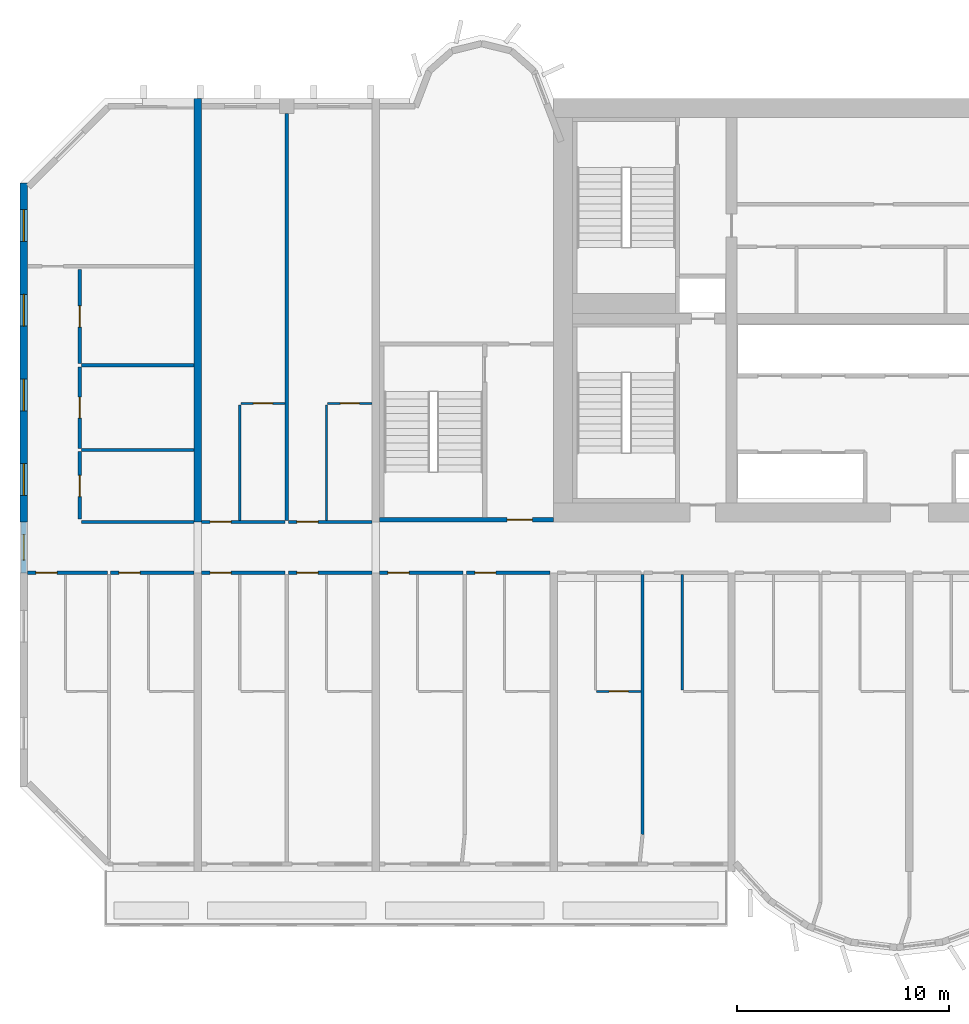
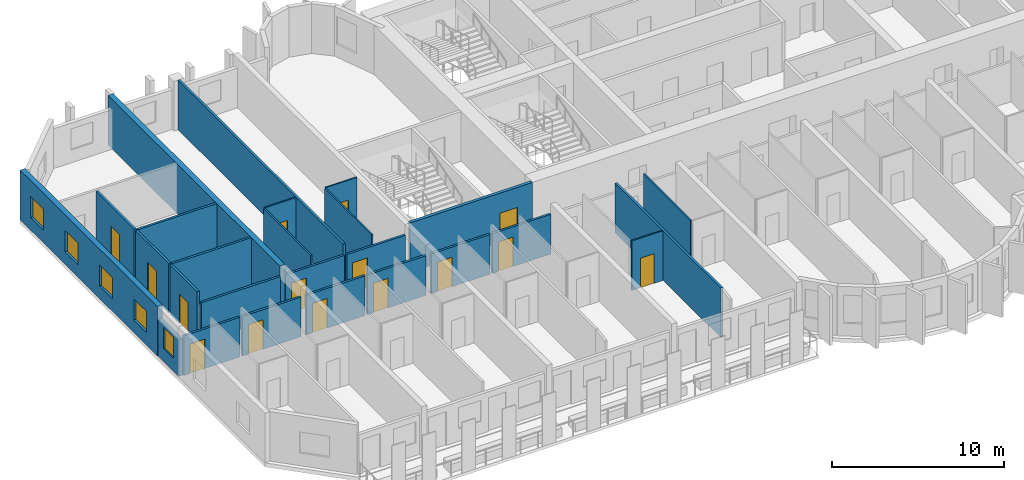
# One storey, part 3 of 15: 26 walls, 15 doors, 5 windows, 20 openings.
"""IFC4 building model written with IfcOpenShell, lengths in metres."""

import ifcopenshell
import ifcopenshell.guid

model = None  # the IFC model being written
_history = None  # IfcOwnerHistory: only IFC2X3 demands one
_inside = {}  # id of a spatial element -> (the spatial element, [elements in it])
_under = {}  # id of a project, library or spatial element -> (it, [spatial elements below it])
_declared = {}  # id of a project -> (the project, [libraries it declares])
_typed = {}  # id of a type object -> (the type object, [elements of that type])
_made_of = {}  # id of a material, layer set ... -> (it, [elements and type objects made of it])


def new_model(schema):
    """Start an empty IFC model of exactly this schema.

    Asked for "IFC4X3", IfcOpenShell would pick the latest addendum, in which some entities
    have other attributes; the version numbers below select the first issue.
    IFC2X3 requires an IfcOwnerHistory on every rooted entity: one is made here for all.
    """
    global model, _history
    if schema == "IFC4X3":
        model = ifcopenshell.file(schema_version=(4, 3, 0, 0))
    else:
        model = ifcopenshell.file(schema=schema)
    _inside.clear()
    _under.clear()
    _declared.clear()
    _typed.clear()
    _made_of.clear()
    _history = None
    if model.schema == "IFC2X3":
        org = make("IfcOrganization", Name="unknown")
        user = make(
            "IfcPersonAndOrganization",
            ThePerson=make("IfcPerson", FamilyName="unknown"),
            TheOrganization=org,
        )
        app = make(
            "IfcApplication",
            ApplicationDeveloper=org,
            Version="unknown",
            ApplicationFullName="unknown",
            ApplicationIdentifier="unknown",
        )
        _history = make(
            "IfcOwnerHistory",
            OwningUser=user,
            OwningApplication=app,
            ChangeAction="ADDED",
            CreationDate=0,
        )
    return model


def make(cls, **values):
    """One entity of the class cls with the attributes given. An attribute that is None is left unset."""
    return model.create_entity(
        cls, **{name: value for name, value in values.items() if value is not None}
    )


def rooted(cls, **values):
    """An entity with a GlobalId (a new one), such as an element, a storey or a relation."""
    return make(cls, GlobalId=ifcopenshell.guid.new(), OwnerHistory=_history, **values)


def si_unit(unit_type, name, prefix=None):
    """IfcSIUnit, for example si_unit("LENGTHUNIT", "METRE", prefix="MILLI")."""
    return make("IfcSIUnit", UnitType=unit_type, Prefix=prefix, Name=name)


def assignment(units):
    """IfcUnitAssignment: the units of a project."""
    return None if units is None else make("IfcUnitAssignment", Units=units)


def point(xyz):
    """IfcCartesianPoint."""
    return None if xyz is None else make("IfcCartesianPoint", Coordinates=xyz)


def direction(xyz):
    """IfcDirection."""
    return None if xyz is None else make("IfcDirection", DirectionRatios=xyz)


def frame(location, z_axis=None, x_axis=None):
    """IfcAxis2Placement3D, a coordinate frame: its origin and axes. An axis left out is left unset."""
    return make(
        "IfcAxis2Placement3D",
        Location=point(location),
        Axis=direction(z_axis),
        RefDirection=direction(x_axis),
    )


def frame_2d(location, x_axis=None):
    """IfcAxis2Placement2D, a coordinate frame in the plane: its origin and x axis."""
    return make(
        "IfcAxis2Placement2D", Location=point(location), RefDirection=direction(x_axis)
    )


def origin():
    """The frame at (0, 0, 0) with its axes left unset."""
    return frame((0.0, 0.0, 0.0))


def place(relative_to, where):
    """IfcLocalPlacement: puts the frame where relative to a parent placement (None: the world)."""
    return make(
        "IfcLocalPlacement", PlacementRelTo=relative_to, RelativePlacement=where
    )


def context(
    kind, dimensions, precision=None, world=None, true_north=None, identifier=None
):
    """IfcGeometricRepresentationContext, for example the 3D "Model" context."""
    return make(
        "IfcGeometricRepresentationContext",
        ContextIdentifier=identifier,
        ContextType=kind,
        CoordinateSpaceDimension=dimensions,
        Precision=precision,
        WorldCoordinateSystem=world,
        TrueNorth=true_north,
    )


def subcontext(parent, identifier, kind, view, scale=None):
    """IfcGeometricRepresentationSubContext, for example "Body" below "Model"."""
    return make(
        "IfcGeometricRepresentationSubContext",
        ContextIdentifier=identifier,
        ContextType=kind,
        ParentContext=parent,
        TargetScale=scale,
        TargetView=view,
    )


def project(units=None, contexts=None):
    """IfcProject with its units and contexts."""
    return rooted(
        "IfcProject",
        Name="project",
        RepresentationContexts=contexts,
        UnitsInContext=assignment(units),
    )


def spatial(cls, under=None, at=None, **own):
    """A site, building, storey or space (cls), placed at a placement, below another one or the project."""
    s = rooted(cls, ObjectPlacement=at, **own)
    if under is not None:
        _under.setdefault(under.id(), (under, []))[1].append(s)
    return s


def profile(cls, at=None, kind="AREA", **sizes):
    """A parametric profile (cls). Its sizes go by their IFC names, for example OverallWidth=200.0."""
    return make(cls, ProfileType=kind, Position=at, **sizes)


def rectangle(**sizes):
    """IfcRectangleProfileDef."""
    return profile("IfcRectangleProfileDef", **sizes)


def extrude(swept, where, along, depth):
    """IfcExtrudedAreaSolid: the profile swept, set in the frame where, extruded along a direction by depth."""
    return make(
        "IfcExtrudedAreaSolid",
        SweptArea=swept,
        Position=where,
        ExtrudedDirection=direction(along),
        Depth=depth,
    )


def shape(context_of_items, identifier, shape_type, items):
    """IfcShapeRepresentation: the items that make up one representation, for example the "Body"."""
    return make(
        "IfcShapeRepresentation",
        ContextOfItems=context_of_items,
        RepresentationIdentifier=identifier,
        RepresentationType=shape_type,
        Items=items,
    )


def source(mapping_origin, context_of_items, identifier, shape_type, items):
    """IfcRepresentationMap: a shape defined once, which mapped items show again and again."""
    return make(
        "IfcRepresentationMap",
        MappingOrigin=mapping_origin,
        MappedRepresentation=shape(context_of_items, identifier, shape_type, items),
    )


def transform(
    local_origin,
    x_axis=None,
    y_axis=None,
    z_axis=None,
    scale=None,
    scale2=None,
    scale3=None,
    uniform=True,
):
    """IfcCartesianTransformationOperator3D, or its non-uniform kind. x_axis, y_axis, z_axis: its Axis1, 2, 3."""
    if uniform:
        return make(
            "IfcCartesianTransformationOperator3D",
            Axis1=direction(x_axis),
            Axis2=direction(y_axis),
            LocalOrigin=point(local_origin),
            Scale=scale,
            Axis3=direction(z_axis),
        )
    return make(
        "IfcCartesianTransformationOperator3DnonUniform",
        Axis1=direction(x_axis),
        Axis2=direction(y_axis),
        LocalOrigin=point(local_origin),
        Scale=scale,
        Axis3=direction(z_axis),
        Scale2=scale2,
        Scale3=scale3,
    )


def mapped(mapping_source, mapping_target):
    """IfcMappedItem: shows the shape of a source again, moved by a transform."""
    return make(
        "IfcMappedItem", MappingSource=mapping_source, MappingTarget=mapping_target
    )


def material(Name=None, Category=None):
    """IfcMaterial."""
    return make("IfcMaterial", Name=Name, Category=Category)


def layer(
    of_material, thickness, ventilated=None, Name=None, Category=None, Priority=None
):
    """IfcMaterialLayer: one layer of a wall or slab, of a material (None: an air gap)."""
    return make(
        "IfcMaterialLayer",
        Material=of_material,
        LayerThickness=thickness,
        IsVentilated=ventilated,
        Name=Name,
        Category=Category,
        Priority=Priority,
    )


def layer_set(layers, Name=None):
    """IfcMaterialLayerSet."""
    return make("IfcMaterialLayerSet", MaterialLayers=layers, LayerSetName=Name)


def made_of(thing, what):
    """Note that an element or type object is made of a material, layer set ...; save() writes the relation."""
    if what is not None:
        _made_of.setdefault(what.id(), (what, []))[1].append(thing)
    return thing


def type_object(cls, material=None, **own):
    """A type object (cls), such as IfcWallType, which elements share."""
    return made_of(rooted(cls, **own), material)


def element(
    cls,
    number,
    at=None,
    inside=None,
    cuts=None,
    type_object=None,
    material=None,
    context=None,
    identifier="Body",
    shape_type=None,
    held_by="IfcProductDefinitionShape",
    body=None,
    shapes=None,
    **own,
):
    """One element of the class cls, such as IfcWall. Its Tag is "e" and its number.

    at: its placement. inside: the storey or other place that contains it. cuts: it is an
    opening in that element (IfcRelVoidsElement). A single representation is given by context,
    identifier, shape_type and body (its items); several are given by shapes. held_by: the class
    of the entity that holds the representations. save() writes the other relations.
    """
    e = rooted(cls, Tag="e%d" % number, ObjectPlacement=at, **own)
    if body is not None:
        shapes = [shape(context, identifier, shape_type, body)]
    if shapes is not None:
        e.Representation = make(held_by, Representations=shapes)
    if inside is not None:
        _inside.setdefault(inside.id(), (inside, []))[1].append(e)
    if cuts is not None:
        rooted(
            "IfcRelVoidsElement", RelatingBuildingElement=cuts, RelatedOpeningElement=e
        )
    if type_object is not None:
        _typed.setdefault(type_object.id(), (type_object, []))[1].append(e)
    return made_of(e, material)


def fill(opening, filler):
    """IfcRelFillsElement: the door or window that sits in an opening."""
    return rooted(
        "IfcRelFillsElement",
        RelatingOpeningElement=opening,
        RelatedBuildingElement=filler,
    )


def aggregate(whole, parts):
    """IfcRelAggregates: a whole, such as a stair, and the parts it consists of."""
    return rooted("IfcRelAggregates", RelatingObject=whole, RelatedObjects=parts)


def save(model, path):
    """Write the relations noted so far, then the file.

    IfcRelAggregates (storeys below a building ...), IfcRelContainedInSpatialStructure (elements
    in a storey), IfcRelDefinesByType, IfcRelAssociatesMaterial and IfcRelDeclares: one each for
    every whole, place, type object, material and project.
    """
    for whole, parts in _under.values():
        aggregate(whole, parts)
    for where, things in _inside.values():
        rooted(
            "IfcRelContainedInSpatialStructure",
            RelatedElements=things,
            RelatingStructure=where,
        )
    for kind, things in _typed.values():
        rooted("IfcRelDefinesByType", RelatedObjects=things, RelatingType=kind)
    for what, things in _made_of.values():
        rooted("IfcRelAssociatesMaterial", RelatedObjects=things, RelatingMaterial=what)
    for by, libraries in _declared.values():
        rooted("IfcRelDeclares", RelatingContext=by, RelatedDefinitions=libraries)
    model.write(path)


model = new_model("IFC4")

# Units and contexts
model_context = context("Model", 3, precision=1e-05, world=origin(), true_north=direction((0.0, 1.0)))
body_context = subcontext(model_context, "Body", "Model", "MODEL_VIEW")
ifc_project = project(units=[si_unit("LENGTHUNIT", "METRE"), si_unit("AREAUNIT", "SQUARE_METRE"), si_unit("VOLUMEUNIT", "CUBIC_METRE"), si_unit("PLANEANGLEUNIT", "RADIAN"), si_unit("MASSUNIT", "GRAM", prefix="KILO")], contexts=[model_context])

# Site, building, storey
site_placement = place(None, origin())
site = spatial("IfcSite", under=ifc_project, at=site_placement, CompositionType="ELEMENT")
building_placement = place(site_placement, origin())
building = spatial("IfcBuilding", under=site, at=building_placement, Name="Vanashikhar Sky Hotel", CompositionType="ELEMENT")
storey_placement = place(building_placement, frame((0.0, 0.0, 110.39990234375)))
storey = spatial("IfcBuildingStorey", under=building, at=storey_placement, Name="L26", CompositionType="ELEMENT", Elevation=110.39990234375)

# Wall, openings, windows
ifc_material_1 = material(Name="Concrete M70", Category="concrete")
ifc_layer_1 = layer(ifc_material_1, 0.35009765625)
ifc_layer_set_1 = layer_set([ifc_layer_1], Name="RC shear wall 350 Concrete M70")
wall_type_1 = type_object("IfcWallType", Name="RC shear wall 350 Concrete M70", PredefinedType="SHEAR", material=ifc_layer_set_1)
shared_shape_1 = source(origin(), body_context, "Body", "SweptSolid", [
    extrude(rectangle(XDim=16.0, YDim=0.35009765625, at=frame_2d((8.0, 0.0))), origin(), (0.0, 0.0, 1.0), 3.52001953125),
])
wall_1_placement = place(storey_placement, frame((0.175048828125, 22.0, 0.0), z_axis=(0.0, 0.0, 1.0), x_axis=(0.0, 1.0, 0.0)))
wall_1 = element("IfcWall", 1, at=wall_1_placement, inside=storey, type_object=wall_type_1, Name="CW-L26-XW01-2", PredefinedType="SHEAR", context=body_context, shape_type="MappedRepresentation", body=[
    mapped(shared_shape_1, transform((0.0, 0.0, 0.0), scale=1.0)),
])
shared_shape_2 = source(origin(), body_context, "Body", "SweptSolid", [
    extrude(rectangle(XDim=1.5, YDim=1.5, at=frame_2d((0.75, 0.75))), frame((0.0, 0.18505859375, 0.0), z_axis=(0.0, -1.0, 0.0), x_axis=(1.0, 0.0, 0.0)), (0.0, 0.0, 1.0), 0.3701171875),
])
opening_1_placement = place(wall_1_placement, frame((1.25, 0.0, 0.89990234375)))
opening_1 = element("IfcOpeningElement", 2, at=opening_1_placement, cuts=wall_1, Name="Opening WN-1", PredefinedType="OPENING", context=body_context, shape_type="MappedRepresentation", body=[
    mapped(shared_shape_2, transform((0.0, 0.0, 0.0), scale=1.0)),
])
opening_2_placement = place(wall_1_placement, frame((5.25, 0.0, 0.89990234375)))
opening_2 = element("IfcOpeningElement", 3, at=opening_2_placement, cuts=wall_1, Name="Opening WN-1", PredefinedType="OPENING", context=body_context, shape_type="MappedRepresentation", body=[
    mapped(shared_shape_2, transform((0.0, 0.0, 0.0), scale=1.0)),
])
opening_3_placement = place(wall_1_placement, frame((9.25, 0.0, 0.89990234375)))
opening_3 = element("IfcOpeningElement", 4, at=opening_3_placement, cuts=wall_1, Name="Opening WN-1", PredefinedType="OPENING", context=body_context, shape_type="MappedRepresentation", body=[
    mapped(shared_shape_2, transform((0.0, 0.0, 0.0), scale=1.0)),
])
opening_4_placement = place(wall_1_placement, frame((13.25, 0.0, 0.89990234375)))
opening_4 = element("IfcOpeningElement", 5, at=opening_4_placement, cuts=wall_1, Name="Opening WN-1", PredefinedType="OPENING", context=body_context, shape_type="MappedRepresentation", body=[
    mapped(shared_shape_2, transform((0.0, 0.0, 0.0), scale=1.0)),
])
ifc_material_2 = material(Name="Glass", Category="glass")
window_type_1 = type_object("IfcWindowType", Name="Window 1500 x 1500", PartitioningType="SINGLE_PANEL", PredefinedType="WINDOW", material=ifc_material_2)
shared_shape_3 = source(origin(), body_context, "Body", "SweptSolid", [
    extrude(rectangle(XDim=1.5, YDim=1.5, at=frame_2d((0.75, 0.75))), frame((0.0, 0.030029296875, 0.0), z_axis=(0.0, -1.0, 0.0), x_axis=(1.0, 0.0, 0.0)), (0.0, 0.0, 1.0), 0.06005859375),
])
window_1_placement = place(opening_1_placement, origin())
window_1 = element("IfcWindow", 6, at=window_1_placement, inside=storey, type_object=window_type_1, Name="Window WN-1", OverallHeight=1.5, OverallWidth=1.5, PartitioningType="SINGLE_PANEL", PredefinedType="WINDOW", context=body_context, shape_type="MappedRepresentation", body=[
    mapped(shared_shape_3, transform((0.0, 0.0, 0.0), scale=1.0)),
])
fill(opening_1, window_1)
window_2_placement = place(opening_2_placement, origin())
window_2 = element("IfcWindow", 7, at=window_2_placement, inside=storey, type_object=window_type_1, Name="Window WN-1", OverallHeight=1.5, OverallWidth=1.5, PartitioningType="SINGLE_PANEL", PredefinedType="WINDOW", context=body_context, shape_type="MappedRepresentation", body=[
    mapped(shared_shape_3, transform((0.0, 0.0, 0.0), scale=1.0)),
])
fill(opening_2, window_2)
window_3_placement = place(opening_3_placement, origin())
window_3 = element("IfcWindow", 8, at=window_3_placement, inside=storey, type_object=window_type_1, Name="Window WN-1", OverallHeight=1.5, OverallWidth=1.5, PartitioningType="SINGLE_PANEL", PredefinedType="WINDOW", context=body_context, shape_type="MappedRepresentation", body=[
    mapped(shared_shape_3, transform((0.0, 0.0, 0.0), scale=1.0)),
])
fill(opening_3, window_3)
window_4_placement = place(opening_4_placement, origin())
window_4 = element("IfcWindow", 9, at=window_4_placement, inside=storey, type_object=window_type_1, Name="Window WN-1", OverallHeight=1.5, OverallWidth=1.5, PartitioningType="SINGLE_PANEL", PredefinedType="WINDOW", context=body_context, shape_type="MappedRepresentation", body=[
    mapped(shared_shape_3, transform((0.0, 0.0, 0.0), scale=1.0)),
])
fill(opening_4, window_4)

# Wall
shared_shape_4 = source(origin(), body_context, "Body", "SweptSolid", [
    extrude(rectangle(XDim=20.0, YDim=0.35009765625, at=frame_2d((10.0, 0.0))), origin(), (0.0, 0.0, 1.0), 3.52001953125),
])
wall_2_placement = place(storey_placement, frame((8.39990234375, 22.0, 0.0), z_axis=(0.0, 0.0, 1.0), x_axis=(0.0, 1.0, 0.0)))
element("IfcWall", 10, at=wall_2_placement, inside=storey, type_object=wall_type_1, Name="CW-L26-XW02-2", PredefinedType="SHEAR", context=body_context, shape_type="MappedRepresentation", body=[
    mapped(shared_shape_4, transform((0.0, 0.0, 0.0), scale=1.0)),
])

# Wall, opening, window
ifc_material_3 = material(Name="Concrete M50", Category="concrete")
ifc_layer_2 = layer(ifc_material_3, 0.25)
ifc_layer_set_2 = layer_set([ifc_layer_2], Name="Rear and end board-marked wall 250")
wall_type_2 = type_object("IfcWallType", Name="Rear and end board-marked wall 250", PredefinedType="SOLIDWALL", material=ifc_layer_set_2)
shared_shape_5 = source(origin(), body_context, "Body", "SweptSolid", [
    extrude(rectangle(XDim=2.39990234375, YDim=0.25, at=frame_2d((1.199951171875, 0.0))), origin(), (0.0, 0.0, 1.0), 2.6201171875),
])
wall_3_placement = place(storey_placement, frame((0.175048828125, 19.60009765625, 0.0), z_axis=(0.0, 0.0, 1.0), x_axis=(0.0, 1.0, 0.0)))
wall_3 = element("IfcWall", 11, at=wall_3_placement, inside=storey, type_object=wall_type_2, Name="End corridor infill wall", PredefinedType="SOLIDWALL", context=body_context, shape_type="MappedRepresentation", body=[
    mapped(shared_shape_5, transform((0.0, 0.0, 0.0), scale=1.0)),
])
shared_shape_6 = source(origin(), body_context, "Body", "SweptSolid", [
    extrude(rectangle(XDim=1.199951171875, YDim=1.5, at=frame_2d((0.60009765625, 0.75))), frame((0.0, 0.135009765625, 0.0), z_axis=(0.0, -1.0, 0.0), x_axis=(1.0, 0.0, 0.0)), (0.0, 0.0, 1.0), 0.27001953125),
])
opening_5_placement = place(wall_3_placement, frame((0.60009765625, 0.0, 0.89990234375)))
opening_5 = element("IfcOpeningElement", 12, at=opening_5_placement, cuts=wall_3, Name="Opening WN-3", PredefinedType="OPENING", context=body_context, shape_type="MappedRepresentation", body=[
    mapped(shared_shape_6, transform((0.0, 0.0, 0.0), scale=1.0)),
])
window_type_2 = type_object("IfcWindowType", Name="Corridor end window 1200 x 1500", PartitioningType="SINGLE_PANEL", PredefinedType="WINDOW", material=ifc_material_2)
shared_shape_7 = source(origin(), body_context, "Body", "SweptSolid", [
    extrude(rectangle(XDim=1.199951171875, YDim=1.5, at=frame_2d((0.60009765625, 0.75))), frame((0.0, 0.030029296875, 0.0), z_axis=(0.0, -1.0, 0.0), x_axis=(1.0, 0.0, 0.0)), (0.0, 0.0, 1.0), 0.06005859375),
])
window_5_placement = place(opening_5_placement, origin())
window_5 = element("IfcWindow", 13, at=window_5_placement, inside=storey, type_object=window_type_2, Name="Window WN-3", OverallHeight=1.5, OverallWidth=1.199951171875, PartitioningType="SINGLE_PANEL", PredefinedType="WINDOW", context=body_context, shape_type="MappedRepresentation", body=[
    mapped(shared_shape_7, transform((0.0, 0.0, 0.0), scale=1.0)),
])
fill(opening_5, window_5)

# Wall, opening, door
ifc_layer_3 = layer(ifc_material_3, 0.199951171875)
ifc_layer_set_3 = layer_set([ifc_layer_3], Name="Stair wall 200")
wall_type_3 = type_object("IfcWallType", Name="Stair wall 200", PredefinedType="SOLIDWALL", material=ifc_layer_set_3)
shared_shape_8 = source(origin(), body_context, "Body", "SweptSolid", [
    extrude(rectangle(XDim=8.224853515625, YDim=0.199951171875, at=frame_2d((4.1123046875, 0.0))), origin(), (0.0, 0.0, 1.0), 3.52001953125),
])
wall_4_placement = place(storey_placement, frame((16.97509765625, 22.10009765625, 0.0), z_axis=(0.0, 0.0, 1.0), x_axis=(1.0, 0.0, 0.0)))
wall_4 = element("IfcWall", 14, at=wall_4_placement, inside=storey, type_object=wall_type_3, Name="Stair wall 200", PredefinedType="SOLIDWALL", context=body_context, shape_type="MappedRepresentation", body=[
    mapped(shared_shape_8, transform((0.0, 0.0, 0.0), scale=1.0)),
])
shared_shape_9 = source(origin(), body_context, "Body", "SweptSolid", [
    extrude(rectangle(XDim=1.199951171875, YDim=2.10009765625, at=frame_2d((0.60009765625, 1.050048828125))), frame((0.0, 0.10986328125, 0.0), z_axis=(0.0, -1.0, 0.0), x_axis=(1.0, 0.0, 0.0)), (0.0, 0.0, 1.0), 0.219970703125),
])
opening_6_placement = place(wall_4_placement, frame((6.02490234375, 0.0, 0.0)))
opening_6 = element("IfcOpeningElement", 15, at=opening_6_placement, cuts=wall_4, Name="Opening DC-2", PredefinedType="OPENING", context=body_context, shape_type="MappedRepresentation", body=[
    mapped(shared_shape_9, transform((0.0, 0.0, 0.0), scale=1.0)),
])
ifc_material_4 = material(Name="Steel", Category="steel")
door_type_1 = type_object("IfcDoorType", Name="Firefighting lobby door 1200 FD120", OperationType="NOTDEFINED", PredefinedType="DOOR", material=ifc_material_4)
shared_shape_10 = source(origin(), body_context, "Body", "SweptSolid", [
    extrude(rectangle(XDim=1.199951171875, YDim=2.10009765625, at=frame_2d((0.60009765625, 1.050048828125))), frame((0.0, 0.02490234375, 0.0), z_axis=(0.0, -1.0, 0.0), x_axis=(1.0, 0.0, 0.0)), (0.0, 0.0, 1.0), 0.050048828125),
])
door_1_placement = place(opening_6_placement, origin())
door_1 = element("IfcDoor", 16, at=door_1_placement, inside=storey, type_object=door_type_1, Name="Firefighting lobby door 1200 FD120", OperationType="SINGLE_SWING_LEFT", OverallHeight=2.10009765625, OverallWidth=1.199951171875, PredefinedType="DOOR", context=body_context, shape_type="MappedRepresentation", body=[
    mapped(shared_shape_10, transform((0.0, 0.0, 0.0), scale=1.0)),
])
fill(opening_6, door_1)

ifc_material_5 = material(Name="Gypsum plasterboard partition")
ifc_layer_4 = layer(ifc_material_5, 0.14990234375)
ifc_layer_set_4 = layer_set([ifc_layer_4], Name="Corridor and demising partition 150")
wall_type_4 = type_object("IfcWallType", Name="Corridor and demising partition 150", PredefinedType="PARTITIONING", material=ifc_layer_set_4)
shared_shape_11 = source(origin(), body_context, "Body", "SweptSolid", [
    extrude(rectangle(XDim=3.175048828125, YDim=0.14990234375, at=frame_2d((1.58740234375, 0.0))), origin(), (0.0, 0.0, 1.0), 3.52001953125),
])
wall_5_placement = place(storey_placement, frame((2.824951171875, 22.14990234375, 0.0), z_axis=(0.0, 0.0, 1.0), x_axis=(0.0, 1.0, 0.0)))
wall_5 = element("IfcWall", 17, at=wall_5_placement, inside=storey, type_object=wall_type_4, Name="W-L26-PW082", PredefinedType="PARTITIONING", context=body_context, shape_type="MappedRepresentation", body=[
    mapped(shared_shape_11, transform((0.0, 0.0, 0.0), scale=1.0)),
])
shared_shape_12 = source(origin(), body_context, "Body", "SweptSolid", [
    extrude(rectangle(XDim=1.0, YDim=2.10009765625, at=frame_2d((0.5, 1.050048828125))), frame((0.0, 0.0849609375, 0.0), z_axis=(0.0, -1.0, 0.0), x_axis=(1.0, 0.0, 0.0)), (0.0, 0.0, 1.0), 0.169921875),
])
opening_7_placement = place(wall_5_placement, frame((1.050048828125, 0.0, 0.0)))
opening_7 = element("IfcOpeningElement", 18, at=opening_7_placement, cuts=wall_5, Name="Opening D-01", PredefinedType="OPENING", context=body_context, shape_type="MappedRepresentation", body=[
    mapped(shared_shape_12, transform((0.0, 0.0, 0.0), scale=1.0)),
])
ifc_material_6 = material(Name="Timber fire door", Category="wood")
door_type_2 = type_object("IfcDoorType", Name="Guest entry door 1000 FD30S", OperationType="NOTDEFINED", PredefinedType="DOOR", material=ifc_material_6)
shared_shape_13 = source(origin(), body_context, "Body", "SweptSolid", [
    extrude(rectangle(XDim=1.0, YDim=2.10009765625, at=frame_2d((0.5, 1.050048828125))), frame((0.0, 0.02490234375, 0.0), z_axis=(0.0, -1.0, 0.0), x_axis=(1.0, 0.0, 0.0)), (0.0, 0.0, 1.0), 0.050048828125),
])
door_2_placement = place(opening_7_placement, origin())
door_2 = element("IfcDoor", 19, at=door_2_placement, inside=storey, type_object=door_type_2, Name="D-L26-046", OperationType="SINGLE_SWING_LEFT", OverallHeight=2.10009765625, OverallWidth=1.0, PredefinedType="DOOR", context=body_context, shape_type="MappedRepresentation", body=[
    mapped(shared_shape_13, transform((0.0, 0.0, 0.0), scale=1.0)),
])
fill(opening_7, door_2)

shared_shape_14 = source(origin(), body_context, "Body", "SweptSolid", [
    extrude(rectangle(XDim=3.849853515625, YDim=0.14990234375, at=frame_2d((1.9248046875, 0.0))), origin(), (0.0, 0.0, 1.0), 3.52001953125),
])
wall_6_placement = place(storey_placement, frame((2.824951171875, 25.47509765625, 0.0), z_axis=(0.0, 0.0, 1.0), x_axis=(0.0, 1.0, 0.0)))
wall_6 = element("IfcWall", 20, at=wall_6_placement, inside=storey, type_object=wall_type_4, Name="W-L26-PW084", PredefinedType="PARTITIONING", context=body_context, shape_type="MappedRepresentation", body=[
    mapped(shared_shape_14, transform((0.0, 0.0, 0.0), scale=1.0)),
])
opening_8_placement = place(wall_6_placement, frame((1.425048828125, 0.0, 0.0)))
opening_8 = element("IfcOpeningElement", 21, at=opening_8_placement, cuts=wall_6, Name="Opening D-01", PredefinedType="OPENING", context=body_context, shape_type="MappedRepresentation", body=[
    mapped(shared_shape_12, transform((0.0, 0.0, 0.0), scale=1.0)),
])
door_3_placement = place(opening_8_placement, origin())
door_3 = element("IfcDoor", 22, at=door_3_placement, inside=storey, type_object=door_type_2, Name="D-L26-047", OperationType="SINGLE_SWING_LEFT", OverallHeight=2.10009765625, OverallWidth=1.0, PredefinedType="DOOR", context=body_context, shape_type="MappedRepresentation", body=[
    mapped(shared_shape_13, transform((0.0, 0.0, 0.0), scale=1.0)),
])
fill(opening_8, door_3)

shared_shape_15 = source(origin(), body_context, "Body", "SweptSolid", [
    extrude(rectangle(XDim=4.449951171875, YDim=0.14990234375, at=frame_2d((2.22509765625, 0.0))), origin(), (0.0, 0.0, 1.0), 3.52001953125),
])
wall_7_placement = place(storey_placement, frame((2.824951171875, 29.47509765625, 0.0), z_axis=(0.0, 0.0, 1.0), x_axis=(0.0, 1.0, 0.0)))
wall_7 = element("IfcWall", 23, at=wall_7_placement, inside=storey, type_object=wall_type_4, Name="W-L26-PW086", PredefinedType="PARTITIONING", context=body_context, shape_type="MappedRepresentation", body=[
    mapped(shared_shape_15, transform((0.0, 0.0, 0.0), scale=1.0)),
])
opening_9_placement = place(wall_7_placement, frame((1.72509765625, 0.0, 0.0)))
opening_9 = element("IfcOpeningElement", 24, at=opening_9_placement, cuts=wall_7, Name="Opening D-01", PredefinedType="OPENING", context=body_context, shape_type="MappedRepresentation", body=[
    mapped(shared_shape_12, transform((0.0, 0.0, 0.0), scale=1.0)),
])
door_4_placement = place(opening_9_placement, origin())
door_4 = element("IfcDoor", 25, at=door_4_placement, inside=storey, type_object=door_type_2, Name="D-L26-048", OperationType="SINGLE_SWING_LEFT", OverallHeight=2.10009765625, OverallWidth=1.0, PredefinedType="DOOR", context=body_context, shape_type="MappedRepresentation", body=[
    mapped(shared_shape_13, transform((0.0, 0.0, 0.0), scale=1.0)),
])
fill(opening_9, door_4)

# Walls
ifc_layer_5 = layer(ifc_material_5, 0.10009765625)
ifc_layer_set_5 = layer_set([ifc_layer_5], Name="Wet room partition 100")
wall_type_5 = type_object("IfcWallType", Name="Wet room partition 100", PredefinedType="PARTITIONING", material=ifc_layer_set_5)
shared_shape_16 = source(origin(), body_context, "Body", "SweptSolid", [
    extrude(rectangle(XDim=5.449951171875, YDim=0.10009765625, at=frame_2d((2.72509765625, 0.0))), origin(), (0.0, 0.0, 1.0), 3.52001953125),
])
for number, where, z_axis, x_axis, name in (
    (26, (31.27490234375, 14.074951171875, 0.0), (0.0, 0.0, 1.0), (0.0, 1.0, 0.0), "W-L26-PW025"),
    (27, (10.375, 22.074951171875, 0.0), (0.0, 0.0, 1.0), (0.0, 1.0, 0.0), "W-L26-PW088"),
    (28, (14.47509765625, 22.074951171875, 0.0), (0.0, 0.0, 1.0), (0.0, 1.0, 0.0), "W-L26-PW091"),
):
    element("IfcWall", number, at=place(storey_placement, frame(where, z_axis=z_axis, x_axis=x_axis)), inside=storey, type_object=wall_type_5, Name=name, PredefinedType="PARTITIONING", context=body_context, shape_type="MappedRepresentation", body=[
        mapped(shared_shape_16, transform((0.0, 0.0, 0.0), scale=1.0)),
    ])

# Wall, opening, door
shared_shape_17 = source(origin(), body_context, "Body", "SweptSolid", [
    extrude(rectangle(XDim=3.77490234375, YDim=0.14990234375, at=frame_2d((1.887451171875, 0.0))), origin(), (0.0, 0.0, 1.0), 2.820068359375),
])
wall_8_placement = place(storey_placement, frame((0.35009765625, 19.60009765625, 0.0), z_axis=(0.0, 0.0, 1.0), x_axis=(1.0, 0.0, 0.0)))
wall_8 = element("IfcWall", 29, at=wall_8_placement, inside=storey, type_object=wall_type_4, Name="W-L26-PW003", PredefinedType="PARTITIONING", context=body_context, shape_type="MappedRepresentation", body=[
    mapped(shared_shape_17, transform((0.0, 0.0, 0.0), scale=1.0)),
])
opening_10_placement = place(wall_8_placement, frame((0.39990234375, 0.0, 0.0)))
opening_10 = element("IfcOpeningElement", 30, at=opening_10_placement, cuts=wall_8, Name="Opening D-01", PredefinedType="OPENING", context=body_context, shape_type="MappedRepresentation", body=[
    mapped(shared_shape_12, transform((0.0, 0.0, 0.0), scale=1.0)),
])
door_5_placement = place(opening_10_placement, origin())
door_5 = element("IfcDoor", 31, at=door_5_placement, inside=storey, type_object=door_type_2, Name="D-L26-002", OperationType="SINGLE_SWING_LEFT", OverallHeight=2.10009765625, OverallWidth=1.0, PredefinedType="DOOR", context=body_context, shape_type="MappedRepresentation", body=[
    mapped(shared_shape_13, transform((0.0, 0.0, 0.0), scale=1.0)),
])
fill(opening_10, door_5)

shared_shape_18 = source(origin(), body_context, "Body", "SweptSolid", [
    extrude(rectangle(XDim=2.10009765625, YDim=0.10009765625, at=frame_2d((1.050048828125, 0.0))), origin(), (0.0, 0.0, 1.0), 3.52001953125),
])
wall_9_placement = place(storey_placement, frame((14.52490234375, 27.60009765625, 0.0), z_axis=(0.0, 0.0, 1.0), x_axis=(1.0, 0.0, 0.0)))
wall_9 = element("IfcWall", 32, at=wall_9_placement, inside=storey, type_object=wall_type_5, Name="W-L26-PW092", PredefinedType="PARTITIONING", context=body_context, shape_type="MappedRepresentation", body=[
    mapped(shared_shape_18, transform((0.0, 0.0, 0.0), scale=1.0)),
])
shared_shape_19 = source(origin(), body_context, "Body", "SweptSolid", [
    extrude(rectangle(XDim=0.89990234375, YDim=2.10009765625, at=frame_2d((0.449951171875, 1.050048828125))), frame((0.0, 0.06005859375, 0.0), z_axis=(0.0, -1.0, 0.0), x_axis=(1.0, 0.0, 0.0)), (0.0, 0.0, 1.0), 0.1201171875),
])
opening_11_placement = place(wall_9_placement, frame((0.60009765625, 0.0, 0.0)))
opening_11 = element("IfcOpeningElement", 33, at=opening_11_placement, cuts=wall_9, Name="Opening D-02", PredefinedType="OPENING", context=body_context, shape_type="MappedRepresentation", body=[
    mapped(shared_shape_19, transform((0.0, 0.0, 0.0), scale=1.0)),
])
ifc_material_7 = material(Name="Timber door", Category="wood")
door_type_3 = type_object("IfcDoorType", Name="Internal door 900", OperationType="NOTDEFINED", PredefinedType="DOOR", material=ifc_material_7)
shared_shape_20 = source(origin(), body_context, "Body", "SweptSolid", [
    extrude(rectangle(XDim=0.89990234375, YDim=2.10009765625, at=frame_2d((0.449951171875, 1.050048828125))), frame((0.0, 0.02490234375, 0.0), z_axis=(0.0, -1.0, 0.0), x_axis=(1.0, 0.0, 0.0)), (0.0, 0.0, 1.0), 0.050048828125),
])
door_6_placement = place(opening_11_placement, origin())
door_6 = element("IfcDoor", 34, at=door_6_placement, inside=storey, type_object=door_type_3, Name="D-L26-052", OperationType="SINGLE_SWING_LEFT", OverallHeight=2.10009765625, OverallWidth=0.89990234375, PredefinedType="DOOR", context=body_context, shape_type="MappedRepresentation", body=[
    mapped(shared_shape_20, transform((0.0, 0.0, 0.0), scale=1.0)),
])
fill(opening_11, door_6)

shared_shape_21 = source(origin(), body_context, "Body", "SweptSolid", [
    extrude(rectangle(XDim=3.9501953125, YDim=0.14990234375, at=frame_2d((1.97509765625, 0.0))), origin(), (0.0, 0.0, 1.0), 2.820068359375),
])
wall_10_placement = place(storey_placement, frame((4.27490234375, 19.60009765625, 0.0), z_axis=(0.0, 0.0, 1.0), x_axis=(1.0, 0.0, 0.0)))
wall_10 = element("IfcWall", 35, at=wall_10_placement, inside=storey, type_object=wall_type_4, Name="W-L26-PW006", PredefinedType="PARTITIONING", context=body_context, shape_type="MappedRepresentation", body=[
    mapped(shared_shape_21, transform((0.0, 0.0, 0.0), scale=1.0)),
])
opening_12_placement = place(wall_10_placement, frame((0.39990234375, 0.0, 0.0)))
opening_12 = element("IfcOpeningElement", 36, at=opening_12_placement, cuts=wall_10, Name="Opening D-01", PredefinedType="OPENING", context=body_context, shape_type="MappedRepresentation", body=[
    mapped(shared_shape_12, transform((0.0, 0.0, 0.0), scale=1.0)),
])
door_7_placement = place(opening_12_placement, origin())
door_7 = element("IfcDoor", 37, at=door_7_placement, inside=storey, type_object=door_type_2, Name="D-L26-004", OperationType="SINGLE_SWING_LEFT", OverallHeight=2.10009765625, OverallWidth=1.0, PredefinedType="DOOR", context=body_context, shape_type="MappedRepresentation", body=[
    mapped(shared_shape_13, transform((0.0, 0.0, 0.0), scale=1.0)),
])
fill(opening_12, door_7)

shared_shape_22 = source(origin(), body_context, "Body", "SweptSolid", [
    extrude(rectangle(XDim=3.949951171875, YDim=0.14990234375, at=frame_2d((1.97509765625, 0.0))), origin(), (0.0, 0.0, 1.0), 2.820068359375),
])
wall_11_placement = place(storey_placement, frame((8.574951171875, 19.60009765625, 0.0), z_axis=(0.0, 0.0, 1.0), x_axis=(1.0, 0.0, 0.0)))
wall_11 = element("IfcWall", 38, at=wall_11_placement, inside=storey, type_object=wall_type_4, Name="W-L26-PW010", PredefinedType="PARTITIONING", context=body_context, shape_type="MappedRepresentation", body=[
    mapped(shared_shape_22, transform((0.0, 0.0, 0.0), scale=1.0)),
])
opening_13_placement = place(wall_11_placement, frame((0.39990234375, 0.0, 0.0)))
opening_13 = element("IfcOpeningElement", 39, at=opening_13_placement, cuts=wall_11, Name="Opening D-01", PredefinedType="OPENING", context=body_context, shape_type="MappedRepresentation", body=[
    mapped(shared_shape_12, transform((0.0, 0.0, 0.0), scale=1.0)),
])
door_8_placement = place(opening_13_placement, origin())
door_8 = element("IfcDoor", 40, at=door_8_placement, inside=storey, type_object=door_type_2, Name="D-L26-006", OperationType="SINGLE_SWING_LEFT", OverallHeight=2.10009765625, OverallWidth=1.0, PredefinedType="DOOR", context=body_context, shape_type="MappedRepresentation", body=[
    mapped(shared_shape_13, transform((0.0, 0.0, 0.0), scale=1.0)),
])
fill(opening_13, door_8)

wall_12_placement = place(storey_placement, frame((12.675048828125, 19.60009765625, 0.0), z_axis=(0.0, 0.0, 1.0), x_axis=(1.0, 0.0, 0.0)))
wall_12 = element("IfcWall", 41, at=wall_12_placement, inside=storey, type_object=wall_type_4, Name="W-L26-PW013", PredefinedType="PARTITIONING", context=body_context, shape_type="MappedRepresentation", body=[
    mapped(shared_shape_22, transform((0.0, 0.0, 0.0), scale=1.0)),
])
opening_14_placement = place(wall_12_placement, frame((0.39990234375, 0.0, 0.0)))
opening_14 = element("IfcOpeningElement", 42, at=opening_14_placement, cuts=wall_12, Name="Opening D-01", PredefinedType="OPENING", context=body_context, shape_type="MappedRepresentation", body=[
    mapped(shared_shape_12, transform((0.0, 0.0, 0.0), scale=1.0)),
])
door_9_placement = place(opening_14_placement, origin())
door_9 = element("IfcDoor", 43, at=door_9_placement, inside=storey, type_object=door_type_2, Name="D-L26-008", OperationType="SINGLE_SWING_LEFT", OverallHeight=2.10009765625, OverallWidth=1.0, PredefinedType="DOOR", context=body_context, shape_type="MappedRepresentation", body=[
    mapped(shared_shape_13, transform((0.0, 0.0, 0.0), scale=1.0)),
])
fill(opening_14, door_9)

wall_13_placement = place(storey_placement, frame((16.97509765625, 19.60009765625, 0.0), z_axis=(0.0, 0.0, 1.0), x_axis=(1.0, 0.0, 0.0)))
wall_13 = element("IfcWall", 44, at=wall_13_placement, inside=storey, type_object=wall_type_4, Name="W-L26-PW017", PredefinedType="PARTITIONING", context=body_context, shape_type="MappedRepresentation", body=[
    mapped(shared_shape_22, transform((0.0, 0.0, 0.0), scale=1.0)),
])
opening_15_placement = place(wall_13_placement, frame((0.39990234375, 0.0, 0.0)))
opening_15 = element("IfcOpeningElement", 45, at=opening_15_placement, cuts=wall_13, Name="Opening D-01", PredefinedType="OPENING", context=body_context, shape_type="MappedRepresentation", body=[
    mapped(shared_shape_12, transform((0.0, 0.0, 0.0), scale=1.0)),
])
door_10_placement = place(opening_15_placement, origin())
door_10 = element("IfcDoor", 46, at=door_10_placement, inside=storey, type_object=door_type_2, Name="D-L26-010", OperationType="SINGLE_SWING_LEFT", OverallHeight=2.10009765625, OverallWidth=1.0, PredefinedType="DOOR", context=body_context, shape_type="MappedRepresentation", body=[
    mapped(shared_shape_13, transform((0.0, 0.0, 0.0), scale=1.0)),
])
fill(opening_15, door_10)

wall_14_placement = place(storey_placement, frame((21.074951171875, 19.60009765625, 0.0), z_axis=(0.0, 0.0, 1.0), x_axis=(1.0, 0.0, 0.0)))
wall_14 = element("IfcWall", 47, at=wall_14_placement, inside=storey, type_object=wall_type_4, Name="W-L26-PW020", PredefinedType="PARTITIONING", context=body_context, shape_type="MappedRepresentation", body=[
    mapped(shared_shape_22, transform((0.0, 0.0, 0.0), scale=1.0)),
])
opening_16_placement = place(wall_14_placement, frame((0.39990234375, 0.0, 0.0)))
opening_16 = element("IfcOpeningElement", 48, at=opening_16_placement, cuts=wall_14, Name="Opening D-01", PredefinedType="OPENING", context=body_context, shape_type="MappedRepresentation", body=[
    mapped(shared_shape_12, transform((0.0, 0.0, 0.0), scale=1.0)),
])
door_11_placement = place(opening_16_placement, origin())
door_11 = element("IfcDoor", 49, at=door_11_placement, inside=storey, type_object=door_type_2, Name="D-L26-012", OperationType="SINGLE_SWING_LEFT", OverallHeight=2.10009765625, OverallWidth=1.0, PredefinedType="DOOR", context=body_context, shape_type="MappedRepresentation", body=[
    mapped(shared_shape_13, transform((0.0, 0.0, 0.0), scale=1.0)),
])
fill(opening_16, door_11)

wall_15_placement = place(storey_placement, frame((8.574951171875, 22.0, 0.0), z_axis=(0.0, 0.0, 1.0), x_axis=(1.0, 0.0, 0.0)))
wall_15 = element("IfcWall", 50, at=wall_15_placement, inside=storey, type_object=wall_type_4, Name="W-L26-PW090", PredefinedType="PARTITIONING", context=body_context, shape_type="MappedRepresentation", body=[
    mapped(shared_shape_22, transform((0.0, 0.0, 0.0), scale=1.0)),
])
opening_17_placement = place(wall_15_placement, frame((0.39990234375, 0.0, 0.0)))
opening_17 = element("IfcOpeningElement", 51, at=opening_17_placement, cuts=wall_15, Name="Opening D-01", PredefinedType="OPENING", context=body_context, shape_type="MappedRepresentation", body=[
    mapped(shared_shape_12, transform((0.0, 0.0, 0.0), scale=1.0)),
])
door_12_placement = place(opening_17_placement, origin())
door_12 = element("IfcDoor", 52, at=door_12_placement, inside=storey, type_object=door_type_2, Name="D-L26-051", OperationType="SINGLE_SWING_LEFT", OverallHeight=2.10009765625, OverallWidth=1.0, PredefinedType="DOOR", context=body_context, shape_type="MappedRepresentation", body=[
    mapped(shared_shape_13, transform((0.0, 0.0, 0.0), scale=1.0)),
])
fill(opening_17, door_12)

wall_16_placement = place(storey_placement, frame((12.675048828125, 22.0, 0.0), z_axis=(0.0, 0.0, 1.0), x_axis=(1.0, 0.0, 0.0)))
wall_16 = element("IfcWall", 53, at=wall_16_placement, inside=storey, type_object=wall_type_4, Name="W-L26-PW093", PredefinedType="PARTITIONING", context=body_context, shape_type="MappedRepresentation", body=[
    mapped(shared_shape_22, transform((0.0, 0.0, 0.0), scale=1.0)),
])
opening_18_placement = place(wall_16_placement, frame((0.39990234375, 0.0, 0.0)))
opening_18 = element("IfcOpeningElement", 54, at=opening_18_placement, cuts=wall_16, Name="Opening D-01", PredefinedType="OPENING", context=body_context, shape_type="MappedRepresentation", body=[
    mapped(shared_shape_12, transform((0.0, 0.0, 0.0), scale=1.0)),
])
door_13_placement = place(opening_18_placement, origin())
door_13 = element("IfcDoor", 55, at=door_13_placement, inside=storey, type_object=door_type_2, Name="D-L26-053", OperationType="SINGLE_SWING_LEFT", OverallHeight=2.10009765625, OverallWidth=1.0, PredefinedType="DOOR", context=body_context, shape_type="MappedRepresentation", body=[
    mapped(shared_shape_13, transform((0.0, 0.0, 0.0), scale=1.0)),
])
fill(opening_18, door_13)

shared_shape_23 = source(origin(), body_context, "Body", "SweptSolid", [
    extrude(rectangle(XDim=2.099853515625, YDim=0.10009765625, at=frame_2d((1.0498046875, 0.0))), origin(), (0.0, 0.0, 1.0), 3.52001953125),
])
wall_17_placement = place(storey_placement, frame((27.22509765625, 14.0, 0.0), z_axis=(0.0, 0.0, 1.0), x_axis=(1.0, 0.0, 0.0)))
wall_17 = element("IfcWall", 56, at=wall_17_placement, inside=storey, type_object=wall_type_5, Name="W-L26-PW023", PredefinedType="PARTITIONING", context=body_context, shape_type="MappedRepresentation", body=[
    mapped(shared_shape_23, transform((0.0, 0.0, 0.0), scale=1.0)),
])
opening_19_placement = place(wall_17_placement, frame((0.60009765625, 0.0, 0.0)))
opening_19 = element("IfcOpeningElement", 57, at=opening_19_placement, cuts=wall_17, Name="Opening D-02", PredefinedType="OPENING", context=body_context, shape_type="MappedRepresentation", body=[
    mapped(shared_shape_19, transform((0.0, 0.0, 0.0), scale=1.0)),
])
door_14_placement = place(opening_19_placement, origin())
door_14 = element("IfcDoor", 58, at=door_14_placement, inside=storey, type_object=door_type_3, Name="D-L26-013", OperationType="SINGLE_SWING_LEFT", OverallHeight=2.10009765625, OverallWidth=0.89990234375, PredefinedType="DOOR", context=body_context, shape_type="MappedRepresentation", body=[
    mapped(shared_shape_20, transform((0.0, 0.0, 0.0), scale=1.0)),
])
fill(opening_19, door_14)

wall_18_placement = place(storey_placement, frame((10.425048828125, 27.60009765625, 0.0), z_axis=(0.0, 0.0, 1.0), x_axis=(1.0, 0.0, 0.0)))
wall_18 = element("IfcWall", 59, at=wall_18_placement, inside=storey, type_object=wall_type_5, Name="W-L26-PW089", PredefinedType="PARTITIONING", context=body_context, shape_type="MappedRepresentation", body=[
    mapped(shared_shape_23, transform((0.0, 0.0, 0.0), scale=1.0)),
])
opening_20_placement = place(wall_18_placement, frame((0.60009765625, 0.0, 0.0)))
opening_20 = element("IfcOpeningElement", 60, at=opening_20_placement, cuts=wall_18, Name="Opening D-02", PredefinedType="OPENING", context=body_context, shape_type="MappedRepresentation", body=[
    mapped(shared_shape_19, transform((0.0, 0.0, 0.0), scale=1.0)),
])
door_15_placement = place(opening_20_placement, origin())
door_15 = element("IfcDoor", 61, at=door_15_placement, inside=storey, type_object=door_type_3, Name="D-L26-050", OperationType="SINGLE_SWING_LEFT", OverallHeight=2.10009765625, OverallWidth=0.89990234375, PredefinedType="DOOR", context=body_context, shape_type="MappedRepresentation", body=[
    mapped(shared_shape_20, transform((0.0, 0.0, 0.0), scale=1.0)),
])
fill(opening_20, door_15)

# Walls
shared_shape_24 = source(origin(), body_context, "Body", "SweptSolid", [
    extrude(rectangle(XDim=12.27490234375, YDim=0.14990234375, at=frame_2d((6.137451171875, 0.0))), origin(), (0.0, 0.0, 1.0), 3.52001953125),
])
wall_19_placement = place(storey_placement, frame((29.39990234375, 7.25, 0.0), z_axis=(0.0, 0.0, 1.0), x_axis=(0.0, 1.0, 0.0)))
element("IfcWall", 62, at=wall_19_placement, inside=storey, type_object=wall_type_4, Name="W-L26-PW028", PredefinedType="PARTITIONING", context=body_context, shape_type="MappedRepresentation", body=[
    mapped(shared_shape_24, transform((0.0, 0.0, 0.0), scale=1.0)),
])
shared_shape_25 = source(origin(), body_context, "Body", "SweptSolid", [
    extrude(rectangle(XDim=5.3251953125, YDim=0.14990234375, at=frame_2d((2.66259765625, 0.0))), origin(), (0.0, 0.0, 1.0), 2.820068359375),
])
wall_20_placement = place(storey_placement, frame((2.89990234375, 22.0, 0.0), z_axis=(0.0, 0.0, 1.0), x_axis=(1.0, 0.0, 0.0)))
element("IfcWall", 63, at=wall_20_placement, inside=storey, type_object=wall_type_4, Name="W-L26-PW081", PredefinedType="PARTITIONING", context=body_context, shape_type="MappedRepresentation", body=[
    mapped(shared_shape_25, transform((0.0, 0.0, 0.0), scale=1.0)),
])
shared_shape_26 = source(origin(), body_context, "Body", "SweptSolid", [
    extrude(rectangle(XDim=5.3251953125, YDim=0.14990234375, at=frame_2d((2.66259765625, 0.0))), origin(), (0.0, 0.0, 1.0), 3.52001953125),
])
for number, where, z_axis, x_axis, name in (
    (64, (2.89990234375, 25.39990234375, 0.0), (0.0, 0.0, 1.0), (1.0, 0.0, 0.0), "W-L26-PW083"),
    (65, (2.89990234375, 29.39990234375, 0.0), (0.0, 0.0, 1.0), (1.0, 0.0, 0.0), "W-L26-PW085"),
):
    element("IfcWall", number, at=place(storey_placement, frame(where, z_axis=z_axis, x_axis=x_axis)), inside=storey, type_object=wall_type_4, Name=name, PredefinedType="PARTITIONING", context=body_context, shape_type="MappedRepresentation", body=[
        mapped(shared_shape_26, transform((0.0, 0.0, 0.0), scale=1.0)),
    ])
shared_shape_27 = source(origin(), body_context, "Body", "SweptSolid", [
    extrude(rectangle(XDim=19.22509765625, YDim=0.14990234375, at=frame_2d((9.612548828125, 0.0))), origin(), (0.0, 0.0, 1.0), 3.52001953125),
])
wall_21_placement = place(storey_placement, frame((12.60009765625, 22.074951171875, 0.0), z_axis=(0.0, 0.0, 1.0), x_axis=(0.0, 1.0, 0.0)))
element("IfcWall", 66, at=wall_21_placement, inside=storey, type_object=wall_type_4, Name="W-L26-PW094", PredefinedType="PARTITIONING", context=body_context, shape_type="MappedRepresentation", body=[
    mapped(shared_shape_27, transform((0.0, 0.0, 0.0), scale=1.0)),
])

save(model, "model.ifc")
